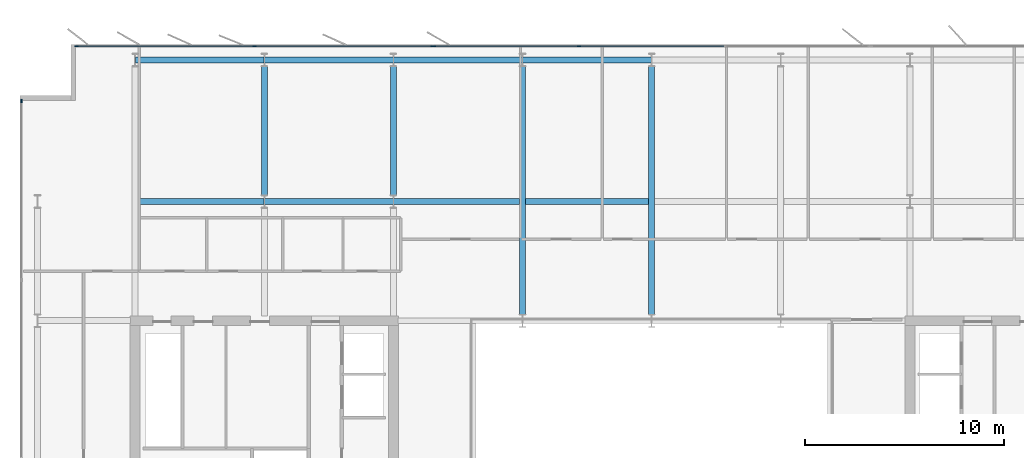
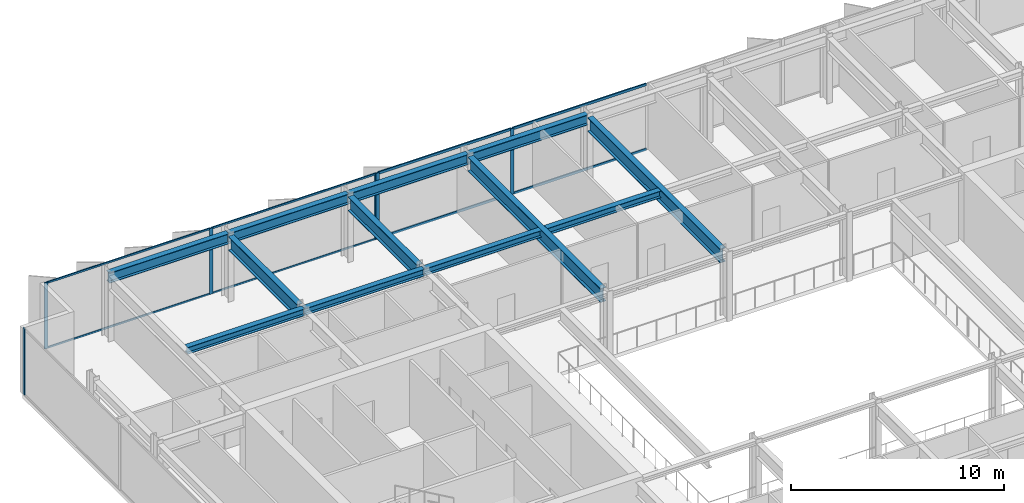
# One storey, part 8 of 20: 14 members, 12 beams, 3 elements without a shape of their own.
"""IFC4 building model written with IfcOpenShell, lengths in metres."""

from ifc_helpers import new_model, si_unit, direction, frame, origin, origin_2d, place, context, subcontext, project, spatial, rectangle, i_section, extrude, material, layer, layer_set, material_profile, profile_set, type_object, element, aggregate, save


model = new_model("IFC4")

# Units and contexts
model_context = context("Model", 3, precision=1e-05, world=origin(), true_north=direction((0.0, 1.0)))
body_context = subcontext(model_context, "Body", "Model", "MODEL_VIEW")
ifc_project = project(units=[si_unit("LENGTHUNIT", "METRE"), si_unit("AREAUNIT", "SQUARE_METRE"), si_unit("VOLUMEUNIT", "CUBIC_METRE"), si_unit("PLANEANGLEUNIT", "RADIAN"), si_unit("MASSUNIT", "GRAM", prefix="KILO")], contexts=[model_context])

# Site, building, storey
site_placement = place(None, origin())
site = spatial("IfcSite", under=ifc_project, at=site_placement, CompositionType="ELEMENT")
building_placement = place(site_placement, origin())
building = spatial("IfcBuilding", under=site, at=building_placement, Name="Putna Gate Headquarters", CompositionType="ELEMENT")
storey_placement = place(building_placement, frame((0.0, 0.0, 302.39990234375)))
storey = spatial("IfcBuildingStorey", under=building, at=storey_placement, Name="L76", CompositionType="ELEMENT", Elevation=302.39990234375)

# Beams
ifc_material_1 = material(Name="Steel S355J2", Category="steel")
ifc_material_profile_1 = material_profile(ifc_material_1, i_section(OverallWidth=0.300048828125, OverallDepth=0.800048828125, WebThickness=0.017578125, FlangeThickness=0.032958984375, at=origin_2d()), Name="Steel S355J2")
ifc_profile_set_1 = profile_set([ifc_material_profile_1], Name="Steel S355J2")
beam_type_1 = type_object("IfcBeamType", Name="BM-GIRD-P-HEB800", PredefinedType="USERDEFINED", material=ifc_profile_set_1)
for number, where, z_axis, x_axis, name in (
    (1, (19.5, 39.322021484375, 3.38818359375), (0.0, 1.0, 0.0), (-1.0, 0.0, 0.0), "L76 North Primary Girder X19-2"),
    (2, (26.0, 39.322021484375, 3.38818359375), (0.0, 1.0, 0.0), (-1.0, 0.0, 0.0), "L76 North Primary Girder X26-2"),
):
    element("IfcBeam", number, at=place(storey_placement, frame(where, z_axis=z_axis, x_axis=x_axis)), inside=storey, type_object=beam_type_1, Name=name, ObjectType="GIRDER", PredefinedType="USERDEFINED", context=body_context, shape_type="SweptSolid", body=[
        extrude(i_section(OverallWidth=0.300048828125, OverallDepth=0.800048828125, WebThickness=0.017578125, FlangeThickness=0.032958984375, at=origin_2d()), origin(), (0.0, 0.0, 1.0), 6.47607421875),
    ])
for number, where, z_axis, x_axis, name in (
    (3, (32.5, 33.322021484375, 3.38818359375), (0.0, 1.0, 0.0), (-1.0, 0.0, 0.0), "L76 North Primary Girder X32"),
    (4, (39.0, 33.322021484375, 3.38818359375), (0.0, 1.0, 0.0), (-1.0, 0.0, 0.0), "L76 North Primary Girder X39"),
):
    element("IfcBeam", number, at=place(storey_placement, frame(where, z_axis=z_axis, x_axis=x_axis)), inside=storey, type_object=beam_type_1, Name=name, ObjectType="GIRDER", PredefinedType="USERDEFINED", context=body_context, shape_type="SweptSolid", body=[
        extrude(i_section(OverallWidth=0.300048828125, OverallDepth=0.800048828125, WebThickness=0.017578125, FlangeThickness=0.032958984375, at=origin_2d()), origin(), (0.0, 0.0, 1.0), 12.47607421875),
    ])
ifc_material_profile_2 = material_profile(ifc_material_1, i_section(OverallWidth=0.300048828125, OverallDepth=0.389892578125, WebThickness=0.010986328125, FlangeThickness=0.01904296875, at=origin_2d()), Name="Steel S355J2")
ifc_profile_set_2 = profile_set([ifc_material_profile_2], Name="Steel S355J2")
beam_type_2 = type_object("IfcBeamType", Name="BM-SEC-Z5-HEA400", PredefinedType="BEAM", material=ifc_profile_set_2)
beam_1_placement = place(storey_placement, frame((13.154052734375, 39.0, 3.593017578125), z_axis=(1.0, 0.0, 0.0), x_axis=(0.0, 1.0, 0.0)))
element("IfcBeam", 5, at=beam_1_placement, inside=storey, type_object=beam_type_2, Name="L76 North Secondary Beam 1", PredefinedType="BEAM", context=body_context, shape_type="SweptSolid", body=[
    extrude(i_section(OverallWidth=0.300048828125, OverallDepth=0.389892578125, WebThickness=0.010986328125, FlangeThickness=0.01904296875, at=origin_2d()), origin(), (0.0, 0.0, 1.0), 6.33984375),
])
beam_2_placement = place(storey_placement, frame((19.506103515625, 39.0, 3.593017578125), z_axis=(1.0, 0.0, 0.0), x_axis=(0.0, 1.0, 0.0)))
element("IfcBeam", 6, at=beam_2_placement, inside=storey, type_object=beam_type_2, Name="L76 North Secondary Beam 2", PredefinedType="BEAM", context=body_context, shape_type="SweptSolid", body=[
    extrude(i_section(OverallWidth=0.300048828125, OverallDepth=0.389892578125, WebThickness=0.010986328125, FlangeThickness=0.01904296875, at=origin_2d()), origin(), (0.0, 0.0, 1.0), 6.48779296875),
])
beam_3_placement = place(storey_placement, frame((26.006103515625, 39.0, 3.593017578125), z_axis=(1.0, 0.0, 0.0), x_axis=(0.0, 1.0, 0.0)))
element("IfcBeam", 7, at=beam_3_placement, inside=storey, type_object=beam_type_2, Name="L76 North Secondary Beam 3", PredefinedType="BEAM", context=body_context, shape_type="SweptSolid", body=[
    extrude(i_section(OverallWidth=0.300048828125, OverallDepth=0.389892578125, WebThickness=0.010986328125, FlangeThickness=0.01904296875, at=origin_2d()), origin(), (0.0, 0.0, 1.0), 6.33984375),
])
beam_4_placement = place(storey_placement, frame((32.654052734375, 39.0, 3.593017578125), z_axis=(1.0, 0.0, 0.0), x_axis=(0.0, 1.0, 0.0)))
element("IfcBeam", 8, at=beam_4_placement, inside=storey, type_object=beam_type_2, Name="L76 North Secondary Beam 4", PredefinedType="BEAM", context=body_context, shape_type="SweptSolid", body=[
    extrude(i_section(OverallWidth=0.300048828125, OverallDepth=0.389892578125, WebThickness=0.010986328125, FlangeThickness=0.01904296875, at=origin_2d()), origin(), (0.0, 0.0, 1.0), 6.19189453125),
])
ifc_material_profile_3 = material_profile(ifc_material_1, i_section(OverallWidth=0.300048828125, OverallDepth=0.590087890625, WebThickness=0.012939453125, FlangeThickness=0.02490234375, at=origin_2d()), Name="Steel S355J2")
ifc_profile_set_3 = profile_set([ifc_material_profile_3], Name="Steel S355J2")
beam_type_3 = type_object("IfcBeamType", Name="BM-SPAN-Z4-HEA600", PredefinedType="SPANDREL", material=ifc_profile_set_3)
for number, where, z_axis, x_axis, name in (
    (9, (13.006103515625, 46.1201171875, 3.4931640625), (1.0, 0.0, 0.0), (0.0, 1.0, 0.0), "L76 N Perimeter Spandrel 1"),
    (10, (19.506103515625, 46.1201171875, 3.4931640625), (1.0, 0.0, 0.0), (0.0, 1.0, 0.0), "L76 N Perimeter Spandrel 2"),
    (11, (26.006103515625, 46.1201171875, 3.4931640625), (1.0, 0.0, 0.0), (0.0, 1.0, 0.0), "L76 N Perimeter Spandrel 3"),
    (12, (32.506103515625, 46.1201171875, 3.4931640625), (1.0, 0.0, 0.0), (0.0, 1.0, 0.0), "L76 N Perimeter Spandrel 4"),
):
    element("IfcBeam", number, at=place(storey_placement, frame(where, z_axis=z_axis, x_axis=x_axis)), inside=storey, type_object=beam_type_3, Name=name, PredefinedType="SPANDREL", context=body_context, shape_type="SweptSolid", body=[
        extrude(i_section(OverallWidth=0.300048828125, OverallDepth=0.590087890625, WebThickness=0.012939453125, FlangeThickness=0.02490234375, at=origin_2d()), origin(), (0.0, 0.0, 1.0), 6.48779296875),
    ])

# Curtain wall, members
ifc_material_2 = material(Name="Anodised bronze aluminium curtain wall", Category="aluminium")
ifc_layer_1 = layer(ifc_material_2, 0.179931640625)
ifc_layer_set_1 = layer_set([ifc_layer_1], Name="Anodised bronze aluminium curtain wall")
curtain_wall_type_1 = type_object("IfcCurtainWallType", Name="CW-SYS-Z5", PredefinedType="USERDEFINED", material=ifc_layer_set_1)
curtain_wall_1_placement = place(storey_placement, origin())
curtain_wall_1 = element("IfcCurtainWall", 13, at=curtain_wall_1_placement, inside=storey, type_object=curtain_wall_type_1, Name="L76 North West Curtain Wall", ObjectType="STICK CURTAIN WALL", PredefinedType="USERDEFINED")
ifc_material_3 = material(Name="Anodised bronze aluminium EN AW-6060", Category="aluminium")
ifc_material_profile_4 = material_profile(ifc_material_3, rectangle(XDim=0.070068359375, YDim=0.179931640625, at=origin_2d()), Name="Anodised bronze aluminium EN AW-6060")
ifc_profile_set_4 = profile_set([ifc_material_profile_4], Name="Anodised bronze aluminium EN AW-6060")
member_type_1 = type_object("IfcMemberType", Name="MULL-CWM-5", PredefinedType="MULLION", material=ifc_profile_set_4)
member_1_placement = place(storey_placement, frame((10.034912109375, 46.820068359375, 0.0), z_axis=(0.0, 0.0, 1.0), x_axis=(0.0, 1.0, 0.0)))
member_1 = element("IfcMember", 14, at=member_1_placement, type_object=member_type_1, Name="CWS-5 mullion 1", PredefinedType="MULLION", context=body_context, shape_type="SweptSolid", body=[
    extrude(rectangle(XDim=0.070068359375, YDim=0.179931640625, at=origin_2d()), origin(), (0.0, 0.0, 1.0), 3.7880859375),
])
member_2_placement = place(storey_placement, frame((19.0, 46.820068359375, 0.0), z_axis=(0.0, 0.0, 1.0), x_axis=(0.0, 1.0, 0.0)))
member_2 = element("IfcMember", 15, at=member_2_placement, type_object=member_type_1, Name="CWS-5 mullion 2", PredefinedType="MULLION", context=body_context, shape_type="SweptSolid", body=[
    extrude(rectangle(XDim=0.070068359375, YDim=0.179931640625, at=origin_2d()), origin(), (0.0, 0.0, 1.0), 3.7880859375),
])
member_3_placement = place(storey_placement, frame((27.965087890625, 46.820068359375, 0.0), z_axis=(0.0, 0.0, 1.0), x_axis=(0.0, 1.0, 0.0)))
member_3 = element("IfcMember", 16, at=member_3_placement, type_object=member_type_1, Name="CWS-5 mullion 3", PredefinedType="MULLION", context=body_context, shape_type="SweptSolid", body=[
    extrude(rectangle(XDim=0.070068359375, YDim=0.179931640625, at=origin_2d()), origin(), (0.0, 0.0, 1.0), 3.7880859375),
])

# Curtain wall, member
curtain_wall_2_placement = place(storey_placement, origin())
curtain_wall_2 = element("IfcCurtainWall", 17, at=curtain_wall_2_placement, inside=storey, type_object=curtain_wall_type_1, Name="L76 West Curtain Wall", ObjectType="STICK CURTAIN WALL", PredefinedType="USERDEFINED")
member_4_placement = place(storey_placement, frame((7.280029296875, 44.06494140625, 0.0), z_axis=(0.0, 0.0, 1.0), x_axis=(-1.0, 0.0, 0.0)))
member_4 = element("IfcMember", 18, at=member_4_placement, type_object=member_type_1, Name="CWS-5 mullion 5", PredefinedType="MULLION", context=body_context, shape_type="SweptSolid", body=[
    extrude(rectangle(XDim=0.070068359375, YDim=0.179931640625, at=origin_2d()), origin(), (0.0, 0.0, 1.0), 3.7880859375),
])
aggregate(curtain_wall_2, [member_4])

# Curtain wall, members
ifc_layer_2 = layer(ifc_material_2, 0.179931640625)
ifc_layer_set_2 = layer_set([ifc_layer_2], Name="Anodised bronze aluminium curtain wall")
curtain_wall_type_2 = type_object("IfcCurtainWallType", Name="CW-SYS-ATR", PredefinedType="USERDEFINED", material=ifc_layer_set_2)
curtain_wall_3_placement = place(storey_placement, origin())
curtain_wall_3 = element("IfcCurtainWall", 19, at=curtain_wall_3_placement, inside=storey, type_object=curtain_wall_type_2, Name="L76 North Atrium Clear Glazing", ObjectType="ATRIUM GLAZING", PredefinedType="USERDEFINED")
ifc_material_profile_5 = material_profile(ifc_material_3, rectangle(XDim=0.070068359375, YDim=0.179931640625, at=origin_2d()), Name="Anodised bronze aluminium EN AW-6060")
ifc_profile_set_5 = profile_set([ifc_material_profile_5], Name="Anodised bronze aluminium EN AW-6060")
member_type_2 = type_object("IfcMemberType", Name="MULL-CWM-AT", PredefinedType="MULLION", material=ifc_profile_set_5)
member_5_placement = place(storey_placement, frame((28.034912109375, 46.820068359375, 0.0), z_axis=(0.0, 0.0, 1.0), x_axis=(0.0, 1.0, 0.0)))
member_5 = element("IfcMember", 20, at=member_5_placement, type_object=member_type_2, Name="CWS-AT mullion 1", PredefinedType="MULLION", context=body_context, shape_type="SweptSolid", body=[
    extrude(rectangle(XDim=0.070068359375, YDim=0.179931640625, at=origin_2d()), origin(), (0.0, 0.0, 1.0), 3.7880859375),
])
member_6_placement = place(storey_placement, frame((35.333251953125, 46.820068359375, 0.0), z_axis=(0.0, 0.0, 1.0), x_axis=(0.0, 1.0, 0.0)))
member_6 = element("IfcMember", 21, at=member_6_placement, type_object=member_type_2, Name="CWS-AT mullion 2", PredefinedType="MULLION", context=body_context, shape_type="SweptSolid", body=[
    extrude(rectangle(XDim=0.070068359375, YDim=0.179931640625, at=origin_2d()), origin(), (0.0, 0.0, 1.0), 3.7880859375),
])

# Member
ifc_material_profile_6 = material_profile(ifc_material_3, rectangle(XDim=0.06005859375, YDim=0.10009765625, at=origin_2d()), Name="Anodised bronze aluminium EN AW-6060")
ifc_profile_set_6 = profile_set([ifc_material_profile_6], Name="Anodised bronze aluminium EN AW-6060")
member_type_3 = type_object("IfcMemberType", Name="TRAN-CWT-5", PredefinedType="USERDEFINED", material=ifc_profile_set_6)
member_7_placement = place(storey_placement, frame((10.070068359375, 46.820068359375, 0.030029296875), z_axis=(1.0, 0.0, 0.0), x_axis=(0.0, 1.0, 0.0)))
member_7 = element("IfcMember", 22, at=member_7_placement, type_object=member_type_3, Name="CWS-5 transom 1.1", ObjectType="TRANSOM", PredefinedType="USERDEFINED", context=body_context, shape_type="SweptSolid", body=[
    extrude(rectangle(XDim=0.06005859375, YDim=0.10009765625, at=origin_2d()), origin(), (0.0, 0.0, 1.0), 8.89501953125),
])

member_8_placement = place(storey_placement, frame((10.070068359375, 46.820068359375, 3.758056640625), z_axis=(1.0, 0.0, 0.0), x_axis=(0.0, 1.0, 0.0)))
member_8 = element("IfcMember", 23, at=member_8_placement, type_object=member_type_3, Name="CWS-5 transom 1.2", ObjectType="TRANSOM", PredefinedType="USERDEFINED", context=body_context, shape_type="SweptSolid", body=[
    extrude(rectangle(XDim=0.06005859375, YDim=0.10009765625, at=origin_2d()), origin(), (0.0, 0.0, 1.0), 8.89501953125),
])

member_9_placement = place(storey_placement, frame((19.034912109375, 46.820068359375, 0.030029296875), z_axis=(1.0, 0.0, 0.0), x_axis=(0.0, 1.0, 0.0)))
member_9 = element("IfcMember", 24, at=member_9_placement, type_object=member_type_3, Name="CWS-5 transom 2.1", ObjectType="TRANSOM", PredefinedType="USERDEFINED", context=body_context, shape_type="SweptSolid", body=[
    extrude(rectangle(XDim=0.06005859375, YDim=0.10009765625, at=origin_2d()), origin(), (0.0, 0.0, 1.0), 8.89501953125),
])

member_10_placement = place(storey_placement, frame((19.034912109375, 46.820068359375, 3.758056640625), z_axis=(1.0, 0.0, 0.0), x_axis=(0.0, 1.0, 0.0)))
member_10 = element("IfcMember", 25, at=member_10_placement, type_object=member_type_3, Name="CWS-5 transom 2.2", ObjectType="TRANSOM", PredefinedType="USERDEFINED", context=body_context, shape_type="SweptSolid", body=[
    extrude(rectangle(XDim=0.06005859375, YDim=0.10009765625, at=origin_2d()), origin(), (0.0, 0.0, 1.0), 8.89501953125),
])

aggregate(curtain_wall_1, [member_1, member_2, member_3, member_7, member_8, member_9, member_10])

ifc_material_profile_7 = material_profile(ifc_material_3, rectangle(XDim=0.070068359375, YDim=0.139892578125, at=origin_2d()), Name="Anodised bronze aluminium EN AW-6060")
ifc_profile_set_7 = profile_set([ifc_material_profile_7], Name="Anodised bronze aluminium EN AW-6060")
member_type_4 = type_object("IfcMemberType", Name="TRAN-CWT-AT", PredefinedType="USERDEFINED", material=ifc_profile_set_7)
member_11_placement = place(storey_placement, frame((28.070068359375, 46.820068359375, 0.03515625), z_axis=(1.0, 0.0, 0.0), x_axis=(0.0, 1.0, 0.0)))
member_11 = element("IfcMember", 26, at=member_11_placement, type_object=member_type_4, Name="CWS-AT transom 1.1", ObjectType="TRANSOM", PredefinedType="USERDEFINED", context=body_context, shape_type="SweptSolid", body=[
    extrude(rectangle(XDim=0.070068359375, YDim=0.139892578125, at=origin_2d()), origin(), (0.0, 0.0, 1.0), 7.228271484375),
])

member_12_placement = place(storey_placement, frame((28.070068359375, 46.820068359375, 3.753173828125), z_axis=(1.0, 0.0, 0.0), x_axis=(0.0, 1.0, 0.0)))
member_12 = element("IfcMember", 27, at=member_12_placement, type_object=member_type_4, Name="CWS-AT transom 1.2", ObjectType="TRANSOM", PredefinedType="USERDEFINED", context=body_context, shape_type="SweptSolid", body=[
    extrude(rectangle(XDim=0.070068359375, YDim=0.139892578125, at=origin_2d()), origin(), (0.0, 0.0, 1.0), 7.228271484375),
])

member_13_placement = place(storey_placement, frame((35.368408203125, 46.820068359375, 0.03515625), z_axis=(1.0, 0.0, 0.0), x_axis=(0.0, 1.0, 0.0)))
member_13 = element("IfcMember", 28, at=member_13_placement, type_object=member_type_4, Name="CWS-AT transom 2.1", ObjectType="TRANSOM", PredefinedType="USERDEFINED", context=body_context, shape_type="SweptSolid", body=[
    extrude(rectangle(XDim=0.070068359375, YDim=0.139892578125, at=origin_2d()), origin(), (0.0, 0.0, 1.0), 7.26318359375),
])

member_14_placement = place(storey_placement, frame((35.368408203125, 46.820068359375, 3.753173828125), z_axis=(1.0, 0.0, 0.0), x_axis=(0.0, 1.0, 0.0)))
member_14 = element("IfcMember", 29, at=member_14_placement, type_object=member_type_4, Name="CWS-AT transom 2.2", ObjectType="TRANSOM", PredefinedType="USERDEFINED", context=body_context, shape_type="SweptSolid", body=[
    extrude(rectangle(XDim=0.070068359375, YDim=0.139892578125, at=origin_2d()), origin(), (0.0, 0.0, 1.0), 7.26318359375),
])

aggregate(curtain_wall_3, [member_5, member_6, member_11, member_12, member_13, member_14])

save(model, "model.ifc")
